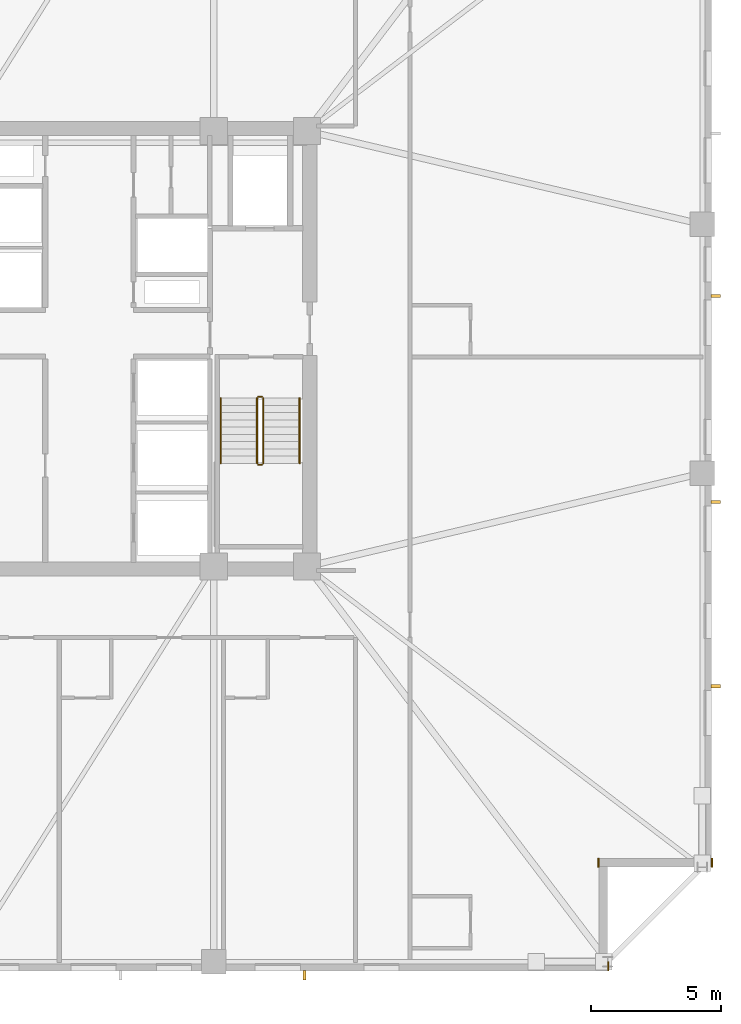
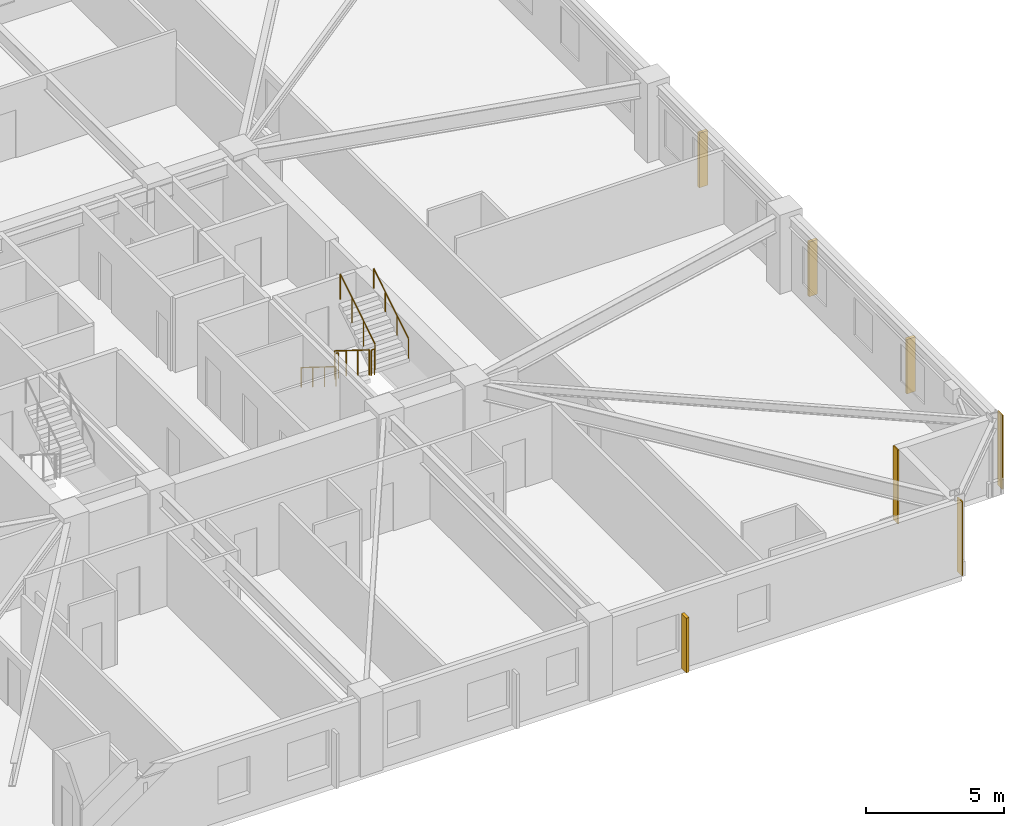
# One storey, part 8 of 10: 6 railings, 4 shading devices, 3 coverings.
"""IFC4 building model written with IfcOpenShell, lengths in metres."""

from ifc_helpers import new_model, si_unit, direction, frame, frame_2d, origin, origin_2d, place, context, subcontext, project, spatial, rectangle, circle, extrude, material, layer, layer_set, type_object, element, save


model = new_model("IFC4")

# Units and contexts
model_context = context("Model", 3, precision=1e-05, world=origin(), true_north=direction((0.0, 1.0)))
body_context = subcontext(model_context, "Body", "Model", "MODEL_VIEW")
ifc_project = project(units=[si_unit("LENGTHUNIT", "METRE"), si_unit("AREAUNIT", "SQUARE_METRE"), si_unit("VOLUMEUNIT", "CUBIC_METRE"), si_unit("PLANEANGLEUNIT", "RADIAN"), si_unit("MASSUNIT", "GRAM", prefix="KILO")], contexts=[model_context])

# Site, building, storey
site_placement = place(None, origin())
site = spatial("IfcSite", under=ifc_project, at=site_placement, CompositionType="ELEMENT")
building_placement = place(site_placement, origin())
building = spatial("IfcBuilding", under=site, at=building_placement, Name="Cairnveth Concourse Tower", CompositionType="ELEMENT")
storey_placement = place(building_placement, frame((0.0, 0.0, 137.5)))
storey = spatial("IfcBuildingStorey", under=building, at=storey_placement, Name="L37", CompositionType="ELEMENT", Elevation=137.5)

# Coverings
ifc_material_1 = material(Name="Dressed Melbourne Bluestone Cladding", Category="masonry")
ifc_layer = layer(ifc_material_1, 0.050048828125)
ifc_layer_set = layer_set([ifc_layer], Name="Dressed Melbourne Bluestone Cladding")
covering_type = type_object("IfcCoveringType", Name="DRESSED BLUESTONE PLINTH CLADDING 50", PredefinedType="CLADDING", material=ifc_layer_set)
for number, where, z_axis, x_axis, name in (
    (1, (76.02001953125, 19.340087890625, 0.0), (0.0, 0.0, 1.0), (0.0, -1.0, 0.0), "Melbourne Bluestone Corner Quoin L37-538"),
    (2, (71.639892578125, 19.340087890625, 0.0), (0.0, 0.0, 1.0), (0.0, -1.0, 0.0), "Melbourne Bluestone Corner Quoin L37-539"),
    (3, (72.02001953125, 15.340087890625, 0.0), (0.0, 0.0, 1.0), (0.0, -1.0, 0.0), "Melbourne Bluestone Corner Quoin L37-540"),
):
    element("IfcCovering", number, at=place(storey_placement, frame(where, z_axis=z_axis, x_axis=x_axis)), inside=storey, type_object=covering_type, Name=name, PredefinedType="CLADDING", context=body_context, shape_type="SweptSolid", body=[
        extrude(rectangle(XDim=0.340087890625, YDim=0.050048828125, at=frame_2d((0.169921875, 0.0))), origin(), (0.0, 0.0, 1.0), 3.280029296875),
    ])

# Shading devices
ifc_material_2 = material(Name="Architectural Bronze Anodised Aluminium 6063-T6", Category="aluminium")
shading_device_type = type_object("IfcShadingDeviceType", Name="GOTHIC BRONZE VERTICAL LANCET FIN", PredefinedType="USERDEFINED", material=ifc_material_2)
for number, where, z_axis, x_axis, name in (
    (4, (76.175048828125, 41.0439453125, 0.030029296875), (0.0, 0.0, 1.0), (0.0, 1.0, 0.0), "Gothic Bronze Vertical Fin L37-6-5"),
    (5, (76.175048828125, 33.0869140625, 0.030029296875), (0.0, 0.0, 1.0), (0.0, 1.0, 0.0), "Gothic Bronze Vertical Fin L37-6-7"),
    (6, (76.175048828125, 25.979736328125, 0.030029296875), (0.0, 0.0, 1.0), (0.0, 1.0, 0.0), "Gothic Bronze Vertical Fin L37-6-9"),
    (7, (60.301025390625, 14.824951171875, 0.030029296875), (0.0, 0.0, 1.0), (1.0, 0.0, 0.0), "Gothic Bronze Vertical Fin L37-9-3"),
):
    element("IfcShadingDevice", number, at=place(storey_placement, frame(where, z_axis=z_axis, x_axis=x_axis)), inside=storey, type_object=shading_device_type, Name=name, ObjectType="VERTICAL FIN", PredefinedType="USERDEFINED", context=body_context, shape_type="SweptSolid", body=[
        extrude(rectangle(XDim=0.1201171875, YDim=0.360107421875, at=origin_2d()), origin(), (0.0, 0.0, 1.0), 2.419921875),
    ])

# Railings
ifc_material_3 = material(Name="Steel Grade 350", Category="steel")
railing_type_1 = type_object("IfcRailingType", Name="STAIR GUARDRAIL 1150", PredefinedType="GUARDRAIL", material=ifc_material_3)
railing_1_placement = place(storey_placement, frame((58.469970703125, 37.10009765625, 0.175048828125)))
element("IfcRailing", 8, at=railing_1_placement, inside=storey, type_object=railing_type_1, Name="L37 ST-2 stair guard 1", PredefinedType="GUARDRAIL", context=body_context, shape_type="SweptSolid", body=[
    extrude(circle(Radius=0.02392578125, at=origin_2d()), frame((0.0, 0.0, 1.1259765625), z_axis=(0.0, -0.848007534815, 0.529984170421), x_axis=(1.0, 0.0, 0.0)), (0.0, 0.0, 1.0), 2.9716796875),
    extrude(circle(Radius=0.02099609375, at=origin_2d()), origin(), (0.0, 0.0, 1.0), 1.101806640625),
    extrude(circle(Radius=0.02099609375, at=origin_2d()), frame((0.0, -0.840087890625, 0.52490234375)), (0.0, 0.0, 1.0), 1.101806640625),
    extrude(circle(Radius=0.02099609375, at=origin_2d()), frame((0.0, -1.679931640625, 1.050048828125)), (0.0, 0.0, 1.0), 1.101806640625),
    extrude(circle(Radius=0.02099609375, at=origin_2d()), frame((0.0, -2.52001953125, 1.574951171875)), (0.0, 0.0, 1.0), 1.101806640625),
])
railing_2_placement = place(storey_placement, frame((58.52001953125, 34.530029296875, 1.75)))
element("IfcRailing", 9, at=railing_2_placement, inside=storey, type_object=railing_type_1, Name="L37 ST-2 stair guard 2", PredefinedType="GUARDRAIL", context=body_context, shape_type="SweptSolid", body=[
    extrude(circle(Radius=0.02392578125, at=origin_2d()), frame((0.0, 0.0, 1.1259765625), z_axis=(1.0, 0.0, 0.0), x_axis=(0.0, 1.0, 0.0)), (0.0, 0.0, 1.0), 0.139892578125),
    extrude(circle(Radius=0.02099609375, at=origin_2d()), origin(), (0.0, 0.0, 1.0), 1.101806640625),
    extrude(circle(Radius=0.02099609375, at=origin_2d()), frame((0.139892578125, 0.0, 0.0)), (0.0, 0.0, 1.0), 1.101806640625),
])
railing_3_placement = place(storey_placement, frame((58.7099609375, 34.580078125, 1.925048828125)))
element("IfcRailing", 10, at=railing_3_placement, inside=storey, type_object=railing_type_1, Name="L37 ST-2 stair guard 3", PredefinedType="GUARDRAIL", context=body_context, shape_type="SweptSolid", body=[
    extrude(circle(Radius=0.02392578125, at=origin_2d()), frame((0.0, 0.0, 1.1259765625), z_axis=(0.0, 0.848007534815, 0.529984170421), x_axis=(-1.0, 0.0, 0.0)), (0.0, 0.0, 1.0), 2.9716796875),
    extrude(circle(Radius=0.02099609375, at=origin_2d()), origin(), (0.0, 0.0, 1.0), 1.101806640625),
    extrude(circle(Radius=0.02099609375, at=origin_2d()), frame((0.0, 0.840087890625, 0.52490234375)), (0.0, 0.0, 1.0), 1.101806640625),
    extrude(circle(Radius=0.02099609375, at=origin_2d()), frame((0.0, 1.679931640625, 1.050048828125)), (0.0, 0.0, 1.0), 1.101806640625),
    extrude(circle(Radius=0.02099609375, at=origin_2d()), frame((0.0, 2.52001953125, 1.574951171875)), (0.0, 0.0, 1.0), 1.101806640625),
])
railing_4_placement = place(storey_placement, frame((58.52001953125, 37.14990234375, 0.0)))
element("IfcRailing", 11, at=railing_4_placement, inside=storey, type_object=railing_type_1, Name="L37 ST-2 stair guard 4", PredefinedType="GUARDRAIL", context=body_context, shape_type="SweptSolid", body=[
    extrude(circle(Radius=0.02392578125, at=origin_2d()), frame((0.0, 0.0, 1.1259765625), z_axis=(1.0, 0.0, 0.0), x_axis=(0.0, 1.0, 0.0)), (0.0, 0.0, 1.0), 0.139892578125),
    extrude(circle(Radius=0.02099609375, at=origin_2d()), origin(), (0.0, 0.0, 1.0), 1.101806640625),
    extrude(circle(Radius=0.02099609375, at=origin_2d()), frame((0.139892578125, 0.0, 0.0)), (0.0, 0.0, 1.0), 1.101806640625),
])
railing_type_2 = type_object("IfcRailingType", Name="STAIR WALL HANDRAIL 900", PredefinedType="HANDRAIL", material=ifc_material_3)
railing_5_placement = place(storey_placement, frame((57.070068359375, 37.10009765625, 0.175048828125)))
element("IfcRailing", 12, at=railing_5_placement, inside=storey, type_object=railing_type_2, Name="L37 ST-2 stair handrail 1", PredefinedType="HANDRAIL", context=body_context, shape_type="SweptSolid", body=[
    extrude(circle(Radius=0.02392578125, at=origin_2d()), frame((0.0, 0.0, 0.8759765625), z_axis=(0.0, -0.848007534815, 0.529984170421), x_axis=(1.0, 0.0, 0.0)), (0.0, 0.0, 1.0), 2.9716796875),
    extrude(circle(Radius=0.02099609375, at=origin_2d()), origin(), (0.0, 0.0, 1.0), 0.851806640625),
    extrude(circle(Radius=0.02099609375, at=origin_2d()), frame((0.0, -0.840087890625, 0.52490234375)), (0.0, 0.0, 1.0), 0.851806640625),
    extrude(circle(Radius=0.02099609375, at=origin_2d()), frame((0.0, -1.679931640625, 1.050048828125)), (0.0, 0.0, 1.0), 0.851806640625),
    extrude(circle(Radius=0.02099609375, at=origin_2d()), frame((0.0, -2.52001953125, 1.574951171875)), (0.0, 0.0, 1.0), 0.851806640625),
])
railing_6_placement = place(storey_placement, frame((60.110107421875, 34.580078125, 1.925048828125)))
element("IfcRailing", 13, at=railing_6_placement, inside=storey, type_object=railing_type_2, Name="L37 ST-2 stair handrail 2", PredefinedType="HANDRAIL", context=body_context, shape_type="SweptSolid", body=[
    extrude(circle(Radius=0.02392578125, at=origin_2d()), frame((0.0, 0.0, 0.8759765625), z_axis=(0.0, 0.848007534815, 0.529984170421), x_axis=(-1.0, 0.0, 0.0)), (0.0, 0.0, 1.0), 2.9716796875),
    extrude(circle(Radius=0.02099609375, at=origin_2d()), origin(), (0.0, 0.0, 1.0), 0.851806640625),
    extrude(circle(Radius=0.02099609375, at=origin_2d()), frame((0.0, 0.840087890625, 0.52490234375)), (0.0, 0.0, 1.0), 0.851806640625),
    extrude(circle(Radius=0.02099609375, at=origin_2d()), frame((0.0, 1.679931640625, 1.050048828125)), (0.0, 0.0, 1.0), 0.851806640625),
    extrude(circle(Radius=0.02099609375, at=origin_2d()), frame((0.0, 2.52001953125, 1.574951171875)), (0.0, 0.0, 1.0), 0.851806640625),
])

save(model, "model.ifc")
